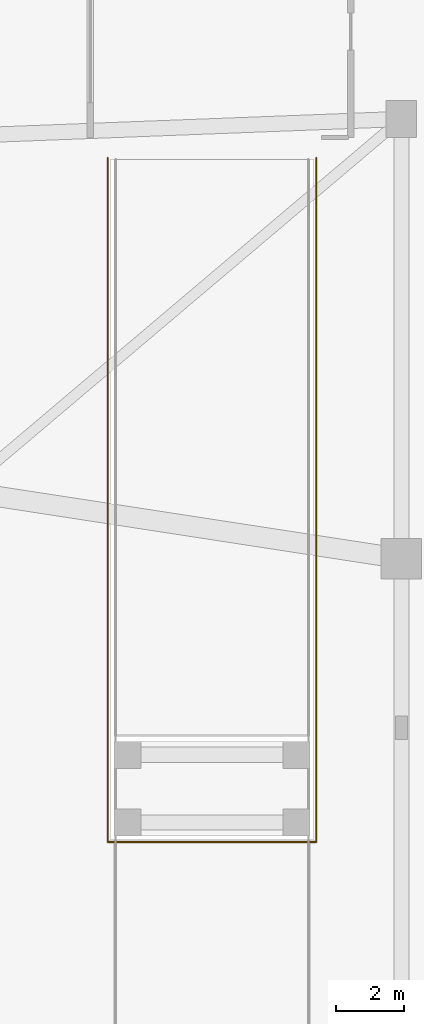
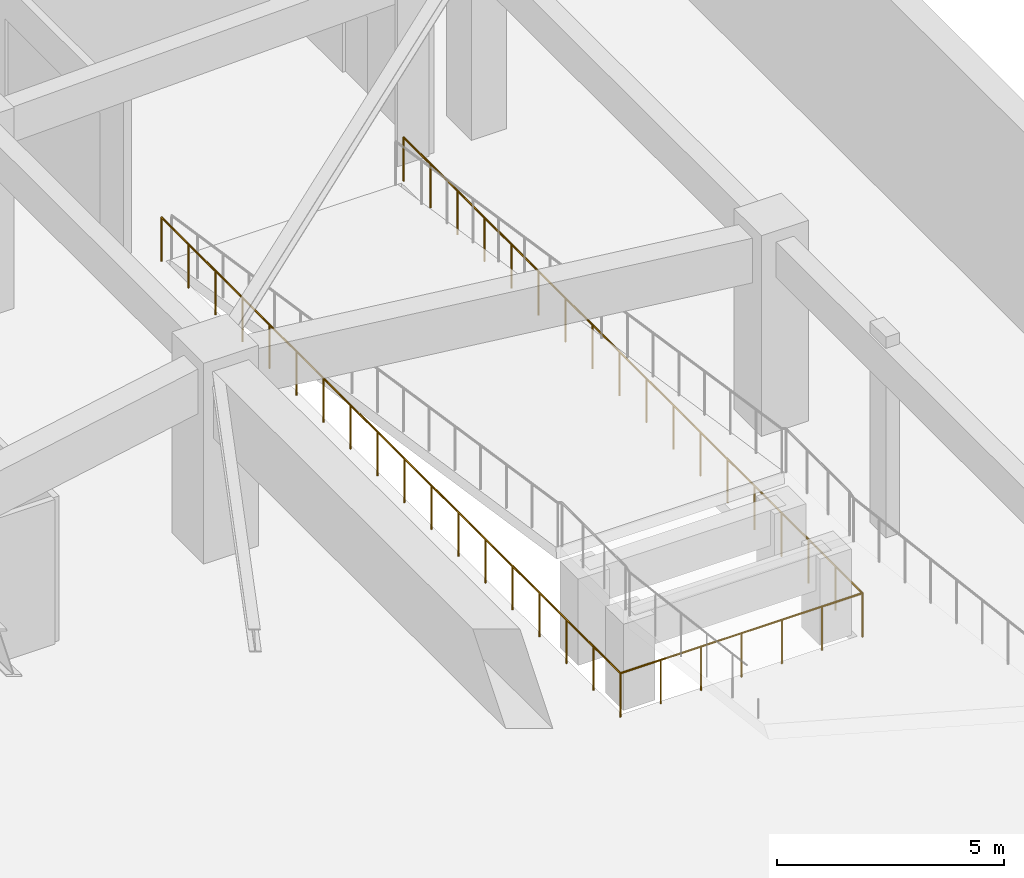
# One storey, part 9 of 9: 1 railing.
"""IFC4 building model written with IfcOpenShell, lengths in metres."""

from ifc_helpers import new_model, si_unit, direction, frame, origin, origin_2d, place, context, subcontext, project, spatial, circle, extrude, material, type_object, element, save


model = new_model("IFC4")

# Units and contexts
model_context = context("Model", 3, precision=1e-05, world=origin(), true_north=direction((0.0, 1.0)))
body_context = subcontext(model_context, "Body", "Model", "MODEL_VIEW")
ifc_project = project(units=[si_unit("LENGTHUNIT", "METRE"), si_unit("AREAUNIT", "SQUARE_METRE"), si_unit("VOLUMEUNIT", "CUBIC_METRE"), si_unit("PLANEANGLEUNIT", "RADIAN"), si_unit("MASSUNIT", "GRAM", prefix="KILO")], contexts=[model_context])

# Site, building, storey
site_placement = place(None, origin())
site = spatial("IfcSite", under=ifc_project, at=site_placement, CompositionType="ELEMENT")
building_placement = place(site_placement, origin())
building = spatial("IfcBuilding", under=site, at=building_placement, Name="Calvemar Wedge Station Tower", CompositionType="ELEMENT")
storey_placement = place(building_placement, frame((0.0, 0.0, -5.39990234375)))
storey = spatial("IfcBuildingStorey", under=building, at=storey_placement, Name="B01", CompositionType="ELEMENT", Elevation=-5.39990234375)

# Railing
ifc_material = material(Name="Painted steel guardrail ASTM A500 Grade C", Category="steel")
railing_type = type_object("IfcRailingType", Name="RL-STAIR-GUARD-1150", PredefinedType="GUARDRAIL", material=ifc_material)
railing_placement = place(storey_placement, frame((52.320068359375, 44.85009765625, 0.0)))
element("IfcRailing", 1, at=railing_placement, inside=storey, type_object=railing_type, Name="B01 Vehicle Ramp Opening Perimeter Guardrail", PredefinedType="GUARDRAIL", context=body_context, shape_type="SweptSolid", body=[
    extrude(circle(Radius=0.02392578125, at=origin_2d()), frame((0.0, 0.0, 1.17578125), z_axis=(0.0, -1.0, 0.0), x_axis=(1.0, 0.0, 0.0)), (0.0, 0.0, 1.0), 20.22998046875),
    extrude(circle(Radius=0.02392578125, at=origin_2d()), frame((0.0, -20.22998046875, 1.17578125), z_axis=(1.0, 0.0, 0.0), x_axis=(0.0, 1.0, 0.0)), (0.0, 0.0, 1.0), 6.159912109375),
    extrude(circle(Radius=0.02392578125, at=origin_2d()), frame((6.159912109375, -20.22998046875, 1.17578125), z_axis=(0.0, 1.0, 0.0), x_axis=(-1.0, 0.0, 0.0)), (0.0, 0.0, 1.0), 20.22998046875),
    extrude(circle(Radius=0.02099609375, at=origin_2d()), origin(), (0.0, 0.0, 1.0), 1.15185546875),
    extrude(circle(Radius=0.02099609375, at=origin_2d()), frame((0.0, -1.18994140625, 0.0)), (0.0, 0.0, 1.0), 1.15185546875),
    extrude(circle(Radius=0.02099609375, at=origin_2d()), frame((0.0, -2.3798828125, 0.0)), (0.0, 0.0, 1.0), 1.15185546875),
    extrude(circle(Radius=0.02099609375, at=origin_2d()), frame((0.0, -3.570068359375, 0.0)), (0.0, 0.0, 1.0), 1.15185546875),
    extrude(circle(Radius=0.02099609375, at=origin_2d()), frame((0.0, -4.760009765625, 0.0)), (0.0, 0.0, 1.0), 1.15185546875),
    extrude(circle(Radius=0.02099609375, at=origin_2d()), frame((0.0, -5.949951171875, 0.0)), (0.0, 0.0, 1.0), 1.15185546875),
    extrude(circle(Radius=0.02099609375, at=origin_2d()), frame((0.0, -7.139892578125, 0.0)), (0.0, 0.0, 1.0), 1.15185546875),
    extrude(circle(Radius=0.02099609375, at=origin_2d()), frame((0.0, -8.330078125, 0.0)), (0.0, 0.0, 1.0), 1.15185546875),
    extrude(circle(Radius=0.02099609375, at=origin_2d()), frame((0.0, -9.52001953125, 0.0)), (0.0, 0.0, 1.0), 1.15185546875),
    extrude(circle(Radius=0.02099609375, at=origin_2d()), frame((0.0, -10.7099609375, 0.0)), (0.0, 0.0, 1.0), 1.15185546875),
    extrude(circle(Radius=0.02099609375, at=origin_2d()), frame((0.0, -11.89990234375, 0.0)), (0.0, 0.0, 1.0), 1.15185546875),
    extrude(circle(Radius=0.02099609375, at=origin_2d()), frame((0.0, -13.090087890625, 0.0)), (0.0, 0.0, 1.0), 1.15185546875),
    extrude(circle(Radius=0.02099609375, at=origin_2d()), frame((0.0, -14.280029296875, 0.0)), (0.0, 0.0, 1.0), 1.15185546875),
    extrude(circle(Radius=0.02099609375, at=origin_2d()), frame((0.0, -15.469970703125, 0.0)), (0.0, 0.0, 1.0), 1.15185546875),
    extrude(circle(Radius=0.02099609375, at=origin_2d()), frame((0.0, -16.659912109375, 0.0)), (0.0, 0.0, 1.0), 1.15185546875),
    extrude(circle(Radius=0.02099609375, at=origin_2d()), frame((0.0, -17.85009765625, 0.0)), (0.0, 0.0, 1.0), 1.15185546875),
    extrude(circle(Radius=0.02099609375, at=origin_2d()), frame((0.0, -19.0400390625, 0.0)), (0.0, 0.0, 1.0), 1.15185546875),
    extrude(circle(Radius=0.02099609375, at=origin_2d()), frame((0.0, -20.22998046875, 0.0)), (0.0, 0.0, 1.0), 1.15185546875),
    extrude(circle(Radius=0.02099609375, at=origin_2d()), frame((1.026611328125, -20.22998046875, 0.0)), (0.0, 0.0, 1.0), 1.15185546875),
    extrude(circle(Radius=0.02099609375, at=origin_2d()), frame((2.05322265625, -20.22998046875, 0.0)), (0.0, 0.0, 1.0), 1.15185546875),
    extrude(circle(Radius=0.02099609375, at=origin_2d()), frame((3.080078125, -20.22998046875, 0.0)), (0.0, 0.0, 1.0), 1.15185546875),
    extrude(circle(Radius=0.02099609375, at=origin_2d()), frame((4.106689453125, -20.22998046875, 0.0)), (0.0, 0.0, 1.0), 1.15185546875),
    extrude(circle(Radius=0.02099609375, at=origin_2d()), frame((5.13330078125, -20.22998046875, 0.0)), (0.0, 0.0, 1.0), 1.15185546875),
    extrude(circle(Radius=0.02099609375, at=origin_2d()), frame((6.159912109375, -20.22998046875, 0.0)), (0.0, 0.0, 1.0), 1.15185546875),
    extrude(circle(Radius=0.02099609375, at=origin_2d()), frame((6.159912109375, -19.0400390625, 0.0)), (0.0, 0.0, 1.0), 1.15185546875),
    extrude(circle(Radius=0.02099609375, at=origin_2d()), frame((6.159912109375, -17.85009765625, 0.0)), (0.0, 0.0, 1.0), 1.15185546875),
    extrude(circle(Radius=0.02099609375, at=origin_2d()), frame((6.159912109375, -16.659912109375, 0.0)), (0.0, 0.0, 1.0), 1.15185546875),
    extrude(circle(Radius=0.02099609375, at=origin_2d()), frame((6.159912109375, -15.469970703125, 0.0)), (0.0, 0.0, 1.0), 1.15185546875),
    extrude(circle(Radius=0.02099609375, at=origin_2d()), frame((6.159912109375, -14.280029296875, 0.0)), (0.0, 0.0, 1.0), 1.15185546875),
    extrude(circle(Radius=0.02099609375, at=origin_2d()), frame((6.159912109375, -13.090087890625, 0.0)), (0.0, 0.0, 1.0), 1.15185546875),
    extrude(circle(Radius=0.02099609375, at=origin_2d()), frame((6.159912109375, -11.89990234375, 0.0)), (0.0, 0.0, 1.0), 1.15185546875),
    extrude(circle(Radius=0.02099609375, at=origin_2d()), frame((6.159912109375, -10.7099609375, 0.0)), (0.0, 0.0, 1.0), 1.15185546875),
    extrude(circle(Radius=0.02099609375, at=origin_2d()), frame((6.159912109375, -9.52001953125, 0.0)), (0.0, 0.0, 1.0), 1.15185546875),
    extrude(circle(Radius=0.02099609375, at=origin_2d()), frame((6.159912109375, -8.330078125, 0.0)), (0.0, 0.0, 1.0), 1.15185546875),
    extrude(circle(Radius=0.02099609375, at=origin_2d()), frame((6.159912109375, -7.139892578125, 0.0)), (0.0, 0.0, 1.0), 1.15185546875),
    extrude(circle(Radius=0.02099609375, at=origin_2d()), frame((6.159912109375, -5.949951171875, 0.0)), (0.0, 0.0, 1.0), 1.15185546875),
    extrude(circle(Radius=0.02099609375, at=origin_2d()), frame((6.159912109375, -4.760009765625, 0.0)), (0.0, 0.0, 1.0), 1.15185546875),
    extrude(circle(Radius=0.02099609375, at=origin_2d()), frame((6.159912109375, -3.570068359375, 0.0)), (0.0, 0.0, 1.0), 1.15185546875),
    extrude(circle(Radius=0.02099609375, at=origin_2d()), frame((6.159912109375, -2.3798828125, 0.0)), (0.0, 0.0, 1.0), 1.15185546875),
    extrude(circle(Radius=0.02099609375, at=origin_2d()), frame((6.159912109375, -1.18994140625, 0.0)), (0.0, 0.0, 1.0), 1.15185546875),
    extrude(circle(Radius=0.02099609375, at=origin_2d()), frame((6.159912109375, 0.0, 0.0)), (0.0, 0.0, 1.0), 1.15185546875),
])

save(model, "model.ifc")
